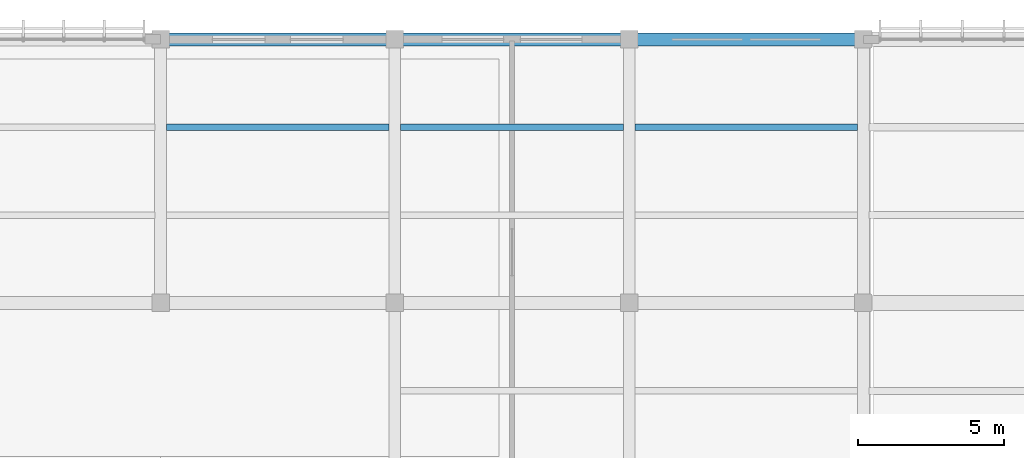
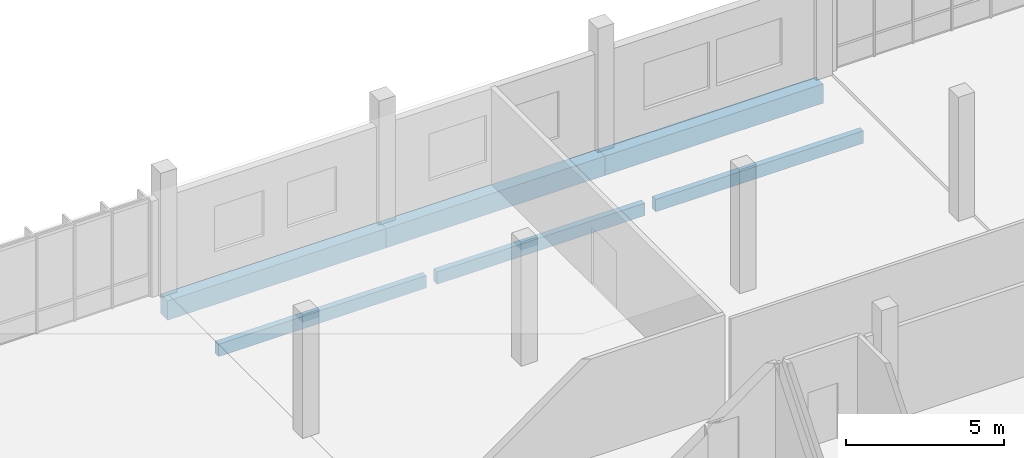
# One storey, part 120 of 177: 6 beams.
"""IFC4 building model written with IfcOpenShell, lengths in metres."""

from ifc_helpers import new_model, si_unit, direction, frame, origin, origin_2d, place, context, subcontext, project, spatial, rectangle, extrude, material, material_profile, profile_set, type_object, element, save


model = new_model("IFC4")

# Units and contexts
model_context = context("Model", 3, precision=1e-05, world=origin(), true_north=direction((0.0, 1.0)))
body_context = subcontext(model_context, "Body", "Model", "MODEL_VIEW")
ifc_project = project(units=[si_unit("LENGTHUNIT", "METRE"), si_unit("AREAUNIT", "SQUARE_METRE"), si_unit("VOLUMEUNIT", "CUBIC_METRE"), si_unit("PLANEANGLEUNIT", "RADIAN"), si_unit("MASSUNIT", "GRAM", prefix="KILO")], contexts=[model_context])

# Site, building, storey
site_placement = place(None, origin())
site = spatial("IfcSite", under=ifc_project, at=site_placement, CompositionType="ELEMENT")
building_placement = place(site_placement, origin())
building = spatial("IfcBuilding", under=site, at=building_placement, Name="Chiffa Square Polytechnic", CompositionType="ELEMENT")
storey_placement = place(building_placement, frame((0.0, 0.0, 4.800048828125)))
storey = spatial("IfcBuildingStorey", under=building, at=storey_placement, Name="L01", CompositionType="ELEMENT", Elevation=4.800048828125)

# Beams
ifc_material_1 = material(Name="Concrete C35/45", Category="concrete")
ifc_material_profile_1 = material_profile(ifc_material_1, rectangle(XDim=0.449951171875, YDim=0.75, at=origin_2d()), Name="RC 450x750")
ifc_profile_set_1 = profile_set([ifc_material_profile_1], Name="Concrete C35/45")
beam_type_1 = type_object("IfcBeamType", Name="BM-RC-450X750", PredefinedType="BEAM", material=ifc_profile_set_1)
for number, where, z_axis, x_axis, name in (
    (1, (24.0, 130.800048828125, -0.655029296875), (1.0, 0.0, 0.0), (0.0, 1.0, 0.0), "Primary floor girder BM-V5-L01-X-0240-1308"),
    (2, (32.0, 130.800048828125, -0.655029296875), (1.0, 0.0, 0.0), (0.0, 1.0, 0.0), "Primary floor girder BM-V5-L01-X-0320-1308"),
    (3, (40.0, 130.800048828125, -0.655029296875), (1.0, 0.0, 0.0), (0.0, 1.0, 0.0), "Primary floor girder BM-V5-L01-X-0400-1308"),
):
    element("IfcBeam", number, at=place(storey_placement, frame(where, z_axis=z_axis, x_axis=x_axis)), inside=storey, type_object=beam_type_1, Name=name, PredefinedType="BEAM", context=body_context, shape_type="SweptSolid", body=[
        extrude(rectangle(XDim=0.449951171875, YDim=0.75, at=origin_2d()), origin(), (0.0, 0.0, 1.0), 8.0),
    ])
ifc_material_2 = material(Name="Glulam GL28h", Category="wood")
ifc_material_profile_2 = material_profile(ifc_material_2, rectangle(XDim=0.219970703125, YDim=0.47998046875, at=origin_2d()), Name="GL28h 220x480")
ifc_profile_set_2 = profile_set([ifc_material_profile_2], Name="Glulam GL28h")
beam_type_2 = type_object("IfcBeamType", Name="JST-GL-220X480", PredefinedType="JOIST", material=ifc_profile_set_2)
for number, where, z_axis, x_axis, name in (
    (4, (24.197998046875, 127.800048828125, -0.52001953125), (1.0, 0.0, 0.0), (0.0, 1.0, 0.0), "Secondary floor joist JST-V5-L01-0240-1278"),
    (5, (32.197998046875, 127.800048828125, -0.52001953125), (1.0, 0.0, 0.0), (0.0, 1.0, 0.0), "Secondary floor joist JST-V5-L01-0320-1278"),
    (6, (40.197998046875, 127.800048828125, -0.52001953125), (1.0, 0.0, 0.0), (0.0, 1.0, 0.0), "Secondary floor joist JST-V5-L01-0400-1278"),
):
    element("IfcBeam", number, at=place(storey_placement, frame(where, z_axis=z_axis, x_axis=x_axis)), inside=storey, type_object=beam_type_2, Name=name, PredefinedType="JOIST", context=body_context, shape_type="SweptSolid", body=[
        extrude(rectangle(XDim=0.219970703125, YDim=0.47998046875, at=origin_2d()), origin(), (0.0, 0.0, 1.0), 7.60400390625),
    ])

save(model, "model.ifc")
